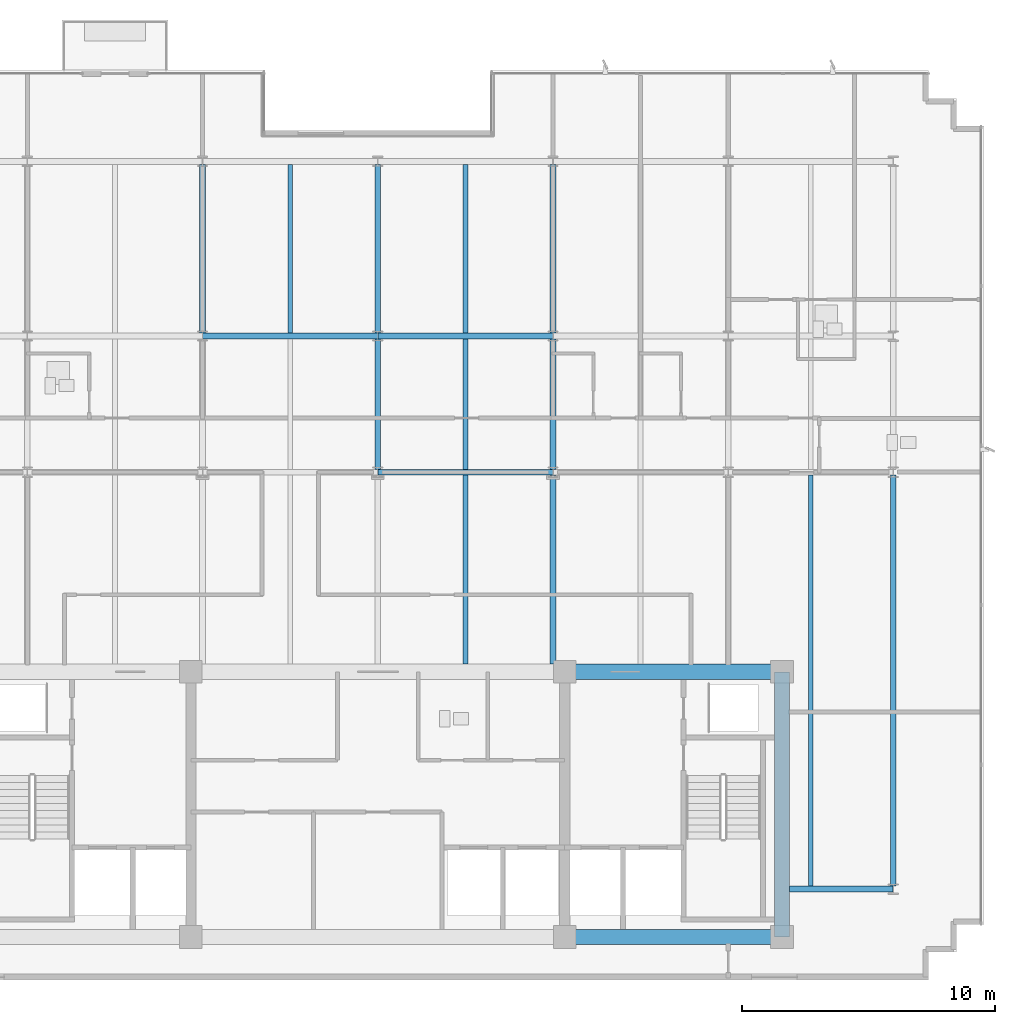
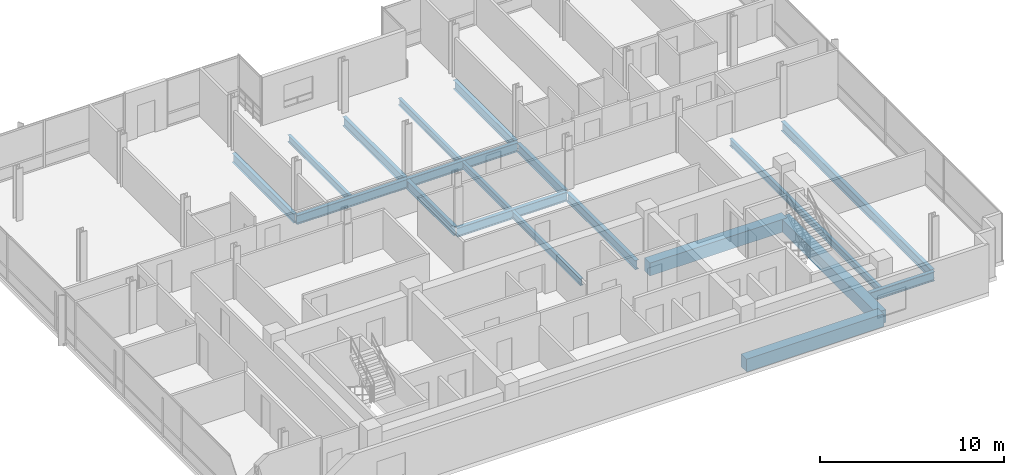
# One storey, part 5 of 17: 19 beams.
"""IFC4 building model written with IfcOpenShell, lengths in metres."""

import ifcopenshell
import ifcopenshell.guid

model = None  # the IFC model being written
_history = None  # IfcOwnerHistory: only IFC2X3 demands one
_inside = {}  # id of a spatial element -> (the spatial element, [elements in it])
_under = {}  # id of a project, library or spatial element -> (it, [spatial elements below it])
_declared = {}  # id of a project -> (the project, [libraries it declares])
_typed = {}  # id of a type object -> (the type object, [elements of that type])
_made_of = {}  # id of a material, layer set ... -> (it, [elements and type objects made of it])


def new_model(schema):
    """Start an empty IFC model of exactly this schema.

    Asked for "IFC4X3", IfcOpenShell would pick the latest addendum, in which some entities
    have other attributes; the version numbers below select the first issue.
    IFC2X3 requires an IfcOwnerHistory on every rooted entity: one is made here for all.
    """
    global model, _history
    if schema == "IFC4X3":
        model = ifcopenshell.file(schema_version=(4, 3, 0, 0))
    else:
        model = ifcopenshell.file(schema=schema)
    _inside.clear()
    _under.clear()
    _declared.clear()
    _typed.clear()
    _made_of.clear()
    _history = None
    if model.schema == "IFC2X3":
        org = make("IfcOrganization", Name="unknown")
        user = make(
            "IfcPersonAndOrganization",
            ThePerson=make("IfcPerson", FamilyName="unknown"),
            TheOrganization=org,
        )
        app = make(
            "IfcApplication",
            ApplicationDeveloper=org,
            Version="unknown",
            ApplicationFullName="unknown",
            ApplicationIdentifier="unknown",
        )
        _history = make(
            "IfcOwnerHistory",
            OwningUser=user,
            OwningApplication=app,
            ChangeAction="ADDED",
            CreationDate=0,
        )
    return model


def make(cls, **values):
    """One entity of the class cls with the attributes given. An attribute that is None is left unset."""
    return model.create_entity(
        cls, **{name: value for name, value in values.items() if value is not None}
    )


def rooted(cls, **values):
    """An entity with a GlobalId (a new one), such as an element, a storey or a relation."""
    return make(cls, GlobalId=ifcopenshell.guid.new(), OwnerHistory=_history, **values)


def si_unit(unit_type, name, prefix=None):
    """IfcSIUnit, for example si_unit("LENGTHUNIT", "METRE", prefix="MILLI")."""
    return make("IfcSIUnit", UnitType=unit_type, Prefix=prefix, Name=name)


def assignment(units):
    """IfcUnitAssignment: the units of a project."""
    return None if units is None else make("IfcUnitAssignment", Units=units)


def point(xyz):
    """IfcCartesianPoint."""
    return None if xyz is None else make("IfcCartesianPoint", Coordinates=xyz)


def direction(xyz):
    """IfcDirection."""
    return None if xyz is None else make("IfcDirection", DirectionRatios=xyz)


def frame(location, z_axis=None, x_axis=None):
    """IfcAxis2Placement3D, a coordinate frame: its origin and axes. An axis left out is left unset."""
    return make(
        "IfcAxis2Placement3D",
        Location=point(location),
        Axis=direction(z_axis),
        RefDirection=direction(x_axis),
    )


def frame_2d(location, x_axis=None):
    """IfcAxis2Placement2D, a coordinate frame in the plane: its origin and x axis."""
    return make(
        "IfcAxis2Placement2D", Location=point(location), RefDirection=direction(x_axis)
    )


def origin():
    """The frame at (0, 0, 0) with its axes left unset."""
    return frame((0.0, 0.0, 0.0))


def origin_2d():
    """The frame at (0, 0) in the plane with its x axis left unset."""
    return frame_2d((0.0, 0.0))


def place(relative_to, where):
    """IfcLocalPlacement: puts the frame where relative to a parent placement (None: the world)."""
    return make(
        "IfcLocalPlacement", PlacementRelTo=relative_to, RelativePlacement=where
    )


def context(
    kind, dimensions, precision=None, world=None, true_north=None, identifier=None
):
    """IfcGeometricRepresentationContext, for example the 3D "Model" context."""
    return make(
        "IfcGeometricRepresentationContext",
        ContextIdentifier=identifier,
        ContextType=kind,
        CoordinateSpaceDimension=dimensions,
        Precision=precision,
        WorldCoordinateSystem=world,
        TrueNorth=true_north,
    )


def subcontext(parent, identifier, kind, view, scale=None):
    """IfcGeometricRepresentationSubContext, for example "Body" below "Model"."""
    return make(
        "IfcGeometricRepresentationSubContext",
        ContextIdentifier=identifier,
        ContextType=kind,
        ParentContext=parent,
        TargetScale=scale,
        TargetView=view,
    )


def project(units=None, contexts=None):
    """IfcProject with its units and contexts."""
    return rooted(
        "IfcProject",
        Name="project",
        RepresentationContexts=contexts,
        UnitsInContext=assignment(units),
    )


def spatial(cls, under=None, at=None, **own):
    """A site, building, storey or space (cls), placed at a placement, below another one or the project."""
    s = rooted(cls, ObjectPlacement=at, **own)
    if under is not None:
        _under.setdefault(under.id(), (under, []))[1].append(s)
    return s


def profile(cls, at=None, kind="AREA", **sizes):
    """A parametric profile (cls). Its sizes go by their IFC names, for example OverallWidth=200.0."""
    return make(cls, ProfileType=kind, Position=at, **sizes)


def rectangle(**sizes):
    """IfcRectangleProfileDef."""
    return profile("IfcRectangleProfileDef", **sizes)


def i_section(**sizes):
    """IfcIShapeProfileDef."""
    return profile("IfcIShapeProfileDef", **sizes)


def extrude(swept, where, along, depth):
    """IfcExtrudedAreaSolid: the profile swept, set in the frame where, extruded along a direction by depth."""
    return make(
        "IfcExtrudedAreaSolid",
        SweptArea=swept,
        Position=where,
        ExtrudedDirection=direction(along),
        Depth=depth,
    )


def shape(context_of_items, identifier, shape_type, items):
    """IfcShapeRepresentation: the items that make up one representation, for example the "Body"."""
    return make(
        "IfcShapeRepresentation",
        ContextOfItems=context_of_items,
        RepresentationIdentifier=identifier,
        RepresentationType=shape_type,
        Items=items,
    )


def material(Name=None, Category=None):
    """IfcMaterial."""
    return make("IfcMaterial", Name=Name, Category=Category)


def material_profile(
    of_material, cross_section, Name=None, Category=None, Priority=None
):
    """IfcMaterialProfile: a cross section and its material."""
    return make(
        "IfcMaterialProfile",
        Name=Name,
        Material=of_material,
        Profile=cross_section,
        Priority=Priority,
        Category=Category,
    )


def profile_set(profiles, Name=None, composite=None):
    """IfcMaterialProfileSet."""
    return make(
        "IfcMaterialProfileSet",
        Name=Name,
        MaterialProfiles=profiles,
        CompositeProfile=composite,
    )


def made_of(thing, what):
    """Note that an element or type object is made of a material, layer set ...; save() writes the relation."""
    if what is not None:
        _made_of.setdefault(what.id(), (what, []))[1].append(thing)
    return thing


def type_object(cls, material=None, **own):
    """A type object (cls), such as IfcWallType, which elements share."""
    return made_of(rooted(cls, **own), material)


def element(
    cls,
    number,
    at=None,
    inside=None,
    cuts=None,
    type_object=None,
    material=None,
    context=None,
    identifier="Body",
    shape_type=None,
    held_by="IfcProductDefinitionShape",
    body=None,
    shapes=None,
    **own,
):
    """One element of the class cls, such as IfcWall. Its Tag is "e" and its number.

    at: its placement. inside: the storey or other place that contains it. cuts: it is an
    opening in that element (IfcRelVoidsElement). A single representation is given by context,
    identifier, shape_type and body (its items); several are given by shapes. held_by: the class
    of the entity that holds the representations. save() writes the other relations.
    """
    e = rooted(cls, Tag="e%d" % number, ObjectPlacement=at, **own)
    if body is not None:
        shapes = [shape(context, identifier, shape_type, body)]
    if shapes is not None:
        e.Representation = make(held_by, Representations=shapes)
    if inside is not None:
        _inside.setdefault(inside.id(), (inside, []))[1].append(e)
    if cuts is not None:
        rooted(
            "IfcRelVoidsElement", RelatingBuildingElement=cuts, RelatedOpeningElement=e
        )
    if type_object is not None:
        _typed.setdefault(type_object.id(), (type_object, []))[1].append(e)
    return made_of(e, material)


def aggregate(whole, parts):
    """IfcRelAggregates: a whole, such as a stair, and the parts it consists of."""
    return rooted("IfcRelAggregates", RelatingObject=whole, RelatedObjects=parts)


def save(model, path):
    """Write the relations noted so far, then the file.

    IfcRelAggregates (storeys below a building ...), IfcRelContainedInSpatialStructure (elements
    in a storey), IfcRelDefinesByType, IfcRelAssociatesMaterial and IfcRelDeclares: one each for
    every whole, place, type object, material and project.
    """
    for whole, parts in _under.values():
        aggregate(whole, parts)
    for where, things in _inside.values():
        rooted(
            "IfcRelContainedInSpatialStructure",
            RelatedElements=things,
            RelatingStructure=where,
        )
    for kind, things in _typed.values():
        rooted("IfcRelDefinesByType", RelatedObjects=things, RelatingType=kind)
    for what, things in _made_of.values():
        rooted("IfcRelAssociatesMaterial", RelatedObjects=things, RelatingMaterial=what)
    for by, libraries in _declared.values():
        rooted("IfcRelDeclares", RelatingContext=by, RelatedDefinitions=libraries)
    model.write(path)


model = new_model("IFC4")

# Units and contexts
model_context = context("Model", 3, precision=1e-05, world=origin(), true_north=direction((0.0, 1.0)))
body_context = subcontext(model_context, "Body", "Model", "MODEL_VIEW")
ifc_project = project(units=[si_unit("LENGTHUNIT", "METRE"), si_unit("AREAUNIT", "SQUARE_METRE"), si_unit("VOLUMEUNIT", "CUBIC_METRE"), si_unit("PLANEANGLEUNIT", "RADIAN"), si_unit("MASSUNIT", "GRAM", prefix="KILO")], contexts=[model_context])

# Site, building, storey
site_placement = place(None, origin())
site = spatial("IfcSite", under=ifc_project, at=site_placement, CompositionType="ELEMENT")
building_placement = place(site_placement, origin())
building = spatial("IfcBuilding", under=site, at=building_placement, Name="Solmavex Isthmus Hotel", CompositionType="ELEMENT")
storey_placement = place(building_placement, frame((0.0, 0.0, 266.10009765625)))
storey = spatial("IfcBuildingStorey", under=building, at=storey_placement, Name="L72", CompositionType="ELEMENT", Elevation=266.10009765625)

# Beams
ifc_material_1 = material(Name="Steel ASTM A992 Grade 50", Category="steel")
ifc_material_profile_1 = material_profile(ifc_material_1, i_section(OverallWidth=0.1904296875, OverallDepth=0.456787109375, WebThickness=0.009033203125, FlangeThickness=0.014404296875, FilletRadius=0.0126953125, at=origin_2d()), Name="W18X50")
ifc_profile_set_1 = profile_set([ifc_material_profile_1], Name="Steel ASTM A992 Grade 50")
beam_type_1 = type_object("IfcBeamType", Name="BM-BJ-W18X50", PredefinedType="JOIST", material=ifc_profile_set_1)
beam_1_placement = place(storey_placement, frame((-3.468017578125, 10.90185546875, -0.488525390625), z_axis=(0.0, 1.0, 0.0), x_axis=(-1.0, 0.0, 0.0)))
element("IfcBeam", 1, at=beam_1_placement, inside=storey, type_object=beam_type_1, Name="Secondary Floor Joist L72-J09", PredefinedType="JOIST", context=body_context, shape_type="SweptSolid", body=[
    extrude(i_section(OverallWidth=0.1904296875, OverallDepth=0.456787109375, WebThickness=0.009033203125, FlangeThickness=0.014404296875, FilletRadius=0.0126953125, at=origin_2d()), origin(), (0.0, 0.0, 1.0), 6.682861328125),
])
beam_2_placement = place(storey_placement, frame((3.468017578125, -2.199951171875, -0.488525390625), z_axis=(0.0, 1.0, 0.0), x_axis=(-1.0, 0.0, 0.0)))
element("IfcBeam", 2, at=beam_2_placement, inside=storey, type_object=beam_type_1, Name="Secondary Floor Joist L72-J10", PredefinedType="JOIST", context=body_context, shape_type="SweptSolid", body=[
    extrude(i_section(OverallWidth=0.1904296875, OverallDepth=0.456787109375, WebThickness=0.009033203125, FlangeThickness=0.014404296875, FilletRadius=0.0126953125, at=origin_2d()), origin(), (0.0, 0.0, 1.0), 7.486083984375),
])
beam_3_placement = place(storey_placement, frame((3.468017578125, 5.513916015625, -0.488525390625), z_axis=(0.0, 1.0, 0.0), x_axis=(-1.0, 0.0, 0.0)))
element("IfcBeam", 3, at=beam_3_placement, inside=storey, type_object=beam_type_1, Name="Secondary Floor Joist L72-J11", PredefinedType="JOIST", context=body_context, shape_type="SweptSolid", body=[
    extrude(i_section(OverallWidth=0.1904296875, OverallDepth=0.456787109375, WebThickness=0.009033203125, FlangeThickness=0.014404296875, FilletRadius=0.0126953125, at=origin_2d()), origin(), (0.0, 0.0, 1.0), 5.16015625),
])
beam_4_placement = place(storey_placement, frame((3.468017578125, 10.90185546875, -0.488525390625), z_axis=(0.0, 1.0, 0.0), x_axis=(-1.0, 0.0, 0.0)))
element("IfcBeam", 4, at=beam_4_placement, inside=storey, type_object=beam_type_1, Name="Secondary Floor Joist L72-J12", PredefinedType="JOIST", context=body_context, shape_type="SweptSolid", body=[
    extrude(i_section(OverallWidth=0.1904296875, OverallDepth=0.456787109375, WebThickness=0.009033203125, FlangeThickness=0.014404296875, FilletRadius=0.0126953125, at=origin_2d()), origin(), (0.0, 0.0, 1.0), 6.682861328125),
])
beam_5_placement = place(storey_placement, frame((17.135986328125, -10.98486328125, -0.488525390625), z_axis=(0.0, 1.0, 0.0), x_axis=(-1.0, 0.0, 0.0)))
element("IfcBeam", 5, at=beam_5_placement, inside=storey, type_object=beam_type_1, Name="Secondary Floor Joist L72-J16", PredefinedType="JOIST", context=body_context, shape_type="SweptSolid", body=[
    extrude(i_section(OverallWidth=0.1904296875, OverallDepth=0.456787109375, WebThickness=0.009033203125, FlangeThickness=0.014404296875, FilletRadius=0.0126953125, at=origin_2d()), origin(), (0.0, 0.0, 1.0), 16.27099609375),
])
ifc_material_profile_2 = material_profile(ifc_material_1, i_section(OverallWidth=0.227783203125, OverallDepth=0.602783203125, WebThickness=0.010498046875, FlangeThickness=0.014892578125, FilletRadius=0.01513671875, at=origin_2d()), Name="W24X68")
ifc_profile_set_2 = profile_set([ifc_material_profile_2], Name="Steel ASTM A992 Grade 50")
beam_type_2 = type_object("IfcBeamType", Name="BM-BM-W24X68", PredefinedType="BEAM", material=ifc_profile_set_2)
for number, where, z_axis, x_axis, name in (
    (6, (0.0, 5.39990234375, -0.5615234375), (1.0, 0.0, 0.0), (0.0, 1.0, 0.0), "Floor Girder L72-UG06"),
    (7, (-6.93603515625, 10.7880859375, -0.5615234375), (1.0, 0.0, 0.0), (0.0, 1.0, 0.0), "Floor Girder L72-UG11"),
    (8, (0.0, 10.7880859375, -0.5615234375), (1.0, 0.0, 0.0), (0.0, 1.0, 0.0), "Floor Girder L72-UG12"),
):
    element("IfcBeam", number, at=place(storey_placement, frame(where, z_axis=z_axis, x_axis=x_axis)), inside=storey, type_object=beam_type_2, Name=name, PredefinedType="BEAM", context=body_context, shape_type="SweptSolid", body=[
        extrude(i_section(OverallWidth=0.227783203125, OverallDepth=0.602783203125, WebThickness=0.010498046875, FlangeThickness=0.014892578125, FilletRadius=0.01513671875, at=origin_2d()), origin(), (0.0, 0.0, 1.0), 6.93603515625),
    ])
beam_6_placement = place(storey_placement, frame((-6.93603515625, 10.90185546875, -0.5615234375), z_axis=(0.0, 1.0, 0.0), x_axis=(-1.0, 0.0, 0.0)))
element("IfcBeam", 9, at=beam_6_placement, inside=storey, type_object=beam_type_2, Name="Floor Beam L72-VG29", PredefinedType="BEAM", context=body_context, shape_type="SweptSolid", body=[
    extrude(i_section(OverallWidth=0.227783203125, OverallDepth=0.602783203125, WebThickness=0.010498046875, FlangeThickness=0.014892578125, FilletRadius=0.01513671875, at=origin_2d()), origin(), (0.0, 0.0, 1.0), 6.682861328125),
])
beam_7_placement = place(storey_placement, frame((0.0, 5.513916015625, -0.5615234375), z_axis=(0.0, 1.0, 0.0), x_axis=(-1.0, 0.0, 0.0)))
element("IfcBeam", 10, at=beam_7_placement, inside=storey, type_object=beam_type_2, Name="Floor Beam L72-VG31", PredefinedType="BEAM", context=body_context, shape_type="SweptSolid", body=[
    extrude(i_section(OverallWidth=0.227783203125, OverallDepth=0.602783203125, WebThickness=0.010498046875, FlangeThickness=0.014892578125, FilletRadius=0.01513671875, at=origin_2d()), origin(), (0.0, 0.0, 1.0), 5.16015625),
])
beam_8_placement = place(storey_placement, frame((0.0, 10.90185546875, -0.5615234375), z_axis=(0.0, 1.0, 0.0), x_axis=(-1.0, 0.0, 0.0)))
element("IfcBeam", 11, at=beam_8_placement, inside=storey, type_object=beam_type_2, Name="Floor Beam L72-VG32", PredefinedType="BEAM", context=body_context, shape_type="SweptSolid", body=[
    extrude(i_section(OverallWidth=0.227783203125, OverallDepth=0.602783203125, WebThickness=0.010498046875, FlangeThickness=0.014892578125, FilletRadius=0.01513671875, at=origin_2d()), origin(), (0.0, 0.0, 1.0), 6.682861328125),
])
beam_9_placement = place(storey_placement, frame((6.93603515625, -2.199951171875, -0.5615234375), z_axis=(0.0, 1.0, 0.0), x_axis=(-1.0, 0.0, 0.0)))
element("IfcBeam", 12, at=beam_9_placement, inside=storey, type_object=beam_type_2, Name="Floor Beam L72-VG33", PredefinedType="BEAM", context=body_context, shape_type="SweptSolid", body=[
    extrude(i_section(OverallWidth=0.227783203125, OverallDepth=0.602783203125, WebThickness=0.010498046875, FlangeThickness=0.014892578125, FilletRadius=0.01513671875, at=origin_2d()), origin(), (0.0, 0.0, 1.0), 7.486083984375),
])
beam_10_placement = place(storey_placement, frame((6.93603515625, 5.513916015625, -0.5615234375), z_axis=(0.0, 1.0, 0.0), x_axis=(-1.0, 0.0, 0.0)))
element("IfcBeam", 13, at=beam_10_placement, inside=storey, type_object=beam_type_2, Name="Floor Beam L72-VG34", PredefinedType="BEAM", context=body_context, shape_type="SweptSolid", body=[
    extrude(i_section(OverallWidth=0.227783203125, OverallDepth=0.602783203125, WebThickness=0.010498046875, FlangeThickness=0.014892578125, FilletRadius=0.01513671875, at=origin_2d()), origin(), (0.0, 0.0, 1.0), 5.16015625),
])
beam_11_placement = place(storey_placement, frame((6.93603515625, 10.90185546875, -0.5615234375), z_axis=(0.0, 1.0, 0.0), x_axis=(-1.0, 0.0, 0.0)))
element("IfcBeam", 14, at=beam_11_placement, inside=storey, type_object=beam_type_2, Name="Floor Beam L72-VG35", PredefinedType="BEAM", context=body_context, shape_type="SweptSolid", body=[
    extrude(i_section(OverallWidth=0.227783203125, OverallDepth=0.602783203125, WebThickness=0.010498046875, FlangeThickness=0.014892578125, FilletRadius=0.01513671875, at=origin_2d()), origin(), (0.0, 0.0, 1.0), 6.682861328125),
])
ifc_material_2 = material(Name="Concrete C50/60", Category="concrete")
ifc_material_profile_3 = material_profile(ifc_material_2, rectangle(XDim=0.60009765625, YDim=0.85009765625, at=origin_2d()), Name="RC600X850")
ifc_profile_set_3 = profile_set([ifc_material_profile_3], Name="Concrete C50/60")
beam_type_3 = type_object("IfcBeamType", Name="BM-CB-600X850", PredefinedType="BEAM", material=ifc_profile_set_3)
for number, where, z_axis, x_axis, name in (
    (15, (7.39990234375, -13.0, -0.68505859375), (1.0, 0.0, 0.0), (0.0, 1.0, 0.0), "Core Coupling Beam L72-CB3"),
    (16, (7.39990234375, -2.5, -0.68505859375), (1.0, 0.0, 0.0), (0.0, 1.0, 0.0), "Core Coupling Beam L72-CB6"),
):
    element("IfcBeam", number, at=place(storey_placement, frame(where, z_axis=z_axis, x_axis=x_axis)), inside=storey, type_object=beam_type_3, Name=name, PredefinedType="BEAM", context=body_context, shape_type="SweptSolid", body=[
        extrude(rectangle(XDim=0.60009765625, YDim=0.85009765625, at=origin_2d()), origin(), (0.0, 0.0, 1.0), 8.60009765625),
    ])
beam_12_placement = place(storey_placement, frame((16.0, -13.0, -0.68505859375), z_axis=(0.0, 1.0, 0.0), x_axis=(-1.0, 0.0, 0.0)))
element("IfcBeam", 17, at=beam_12_placement, inside=storey, type_object=beam_type_3, Name="Core Coupling Beam L72-CB8", PredefinedType="BEAM", context=body_context, shape_type="SweptSolid", body=[
    extrude(rectangle(XDim=0.60009765625, YDim=0.85009765625, at=origin_2d()), origin(), (0.0, 0.0, 1.0), 10.5),
])
ifc_material_profile_4 = material_profile(ifc_material_1, i_section(OverallWidth=0.230224609375, OverallDepth=0.617431640625, WebThickness=0.01318359375, FlangeThickness=0.022216796875, FilletRadius=0.01513671875, at=origin_2d()), Name="W24X94")
ifc_profile_set_4 = profile_set([ifc_material_profile_4], Name="Steel ASTM A992 Grade 50")
beam_type_4 = type_object("IfcBeamType", Name="BM-SP-W24X94", PredefinedType="SPANDREL", material=ifc_profile_set_4)
beam_13_placement = place(storey_placement, frame((16.300048828125, -11.10009765625, -0.56884765625), z_axis=(1.0, 0.0, 0.0), x_axis=(0.0, 1.0, 0.0)))
element("IfcBeam", 18, at=beam_13_placement, inside=storey, type_object=beam_type_4, Name="Floor Girder L72-UG02", PredefinedType="SPANDREL", context=body_context, shape_type="SweptSolid", body=[
    extrude(i_section(OverallWidth=0.230224609375, OverallDepth=0.617431640625, WebThickness=0.01318359375, FlangeThickness=0.022216796875, FilletRadius=0.01513671875, at=origin_2d()), origin(), (0.0, 0.0, 1.0), 4.099853515625),
])
beam_14_placement = place(storey_placement, frame((20.39990234375, -10.98486328125, -0.56884765625), z_axis=(0.0, 1.0, 0.0), x_axis=(-1.0, 0.0, 0.0)))
element("IfcBeam", 19, at=beam_14_placement, inside=storey, type_object=beam_type_4, Name="Floor Beam L72-VG39", PredefinedType="SPANDREL", context=body_context, shape_type="SweptSolid", body=[
    extrude(i_section(OverallWidth=0.230224609375, OverallDepth=0.617431640625, WebThickness=0.01318359375, FlangeThickness=0.022216796875, FilletRadius=0.01513671875, at=origin_2d()), origin(), (0.0, 0.0, 1.0), 16.27099609375),
])

save(model, "model.ifc")
